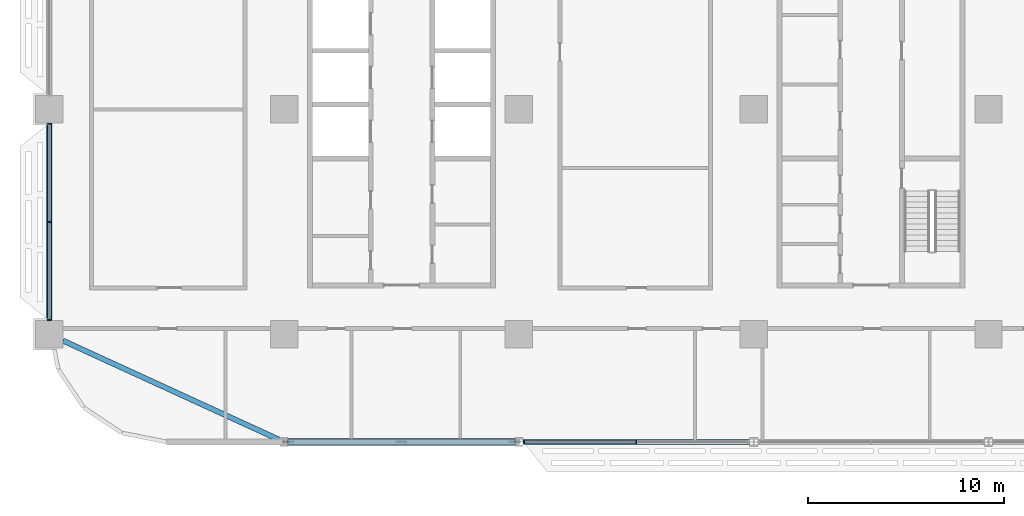
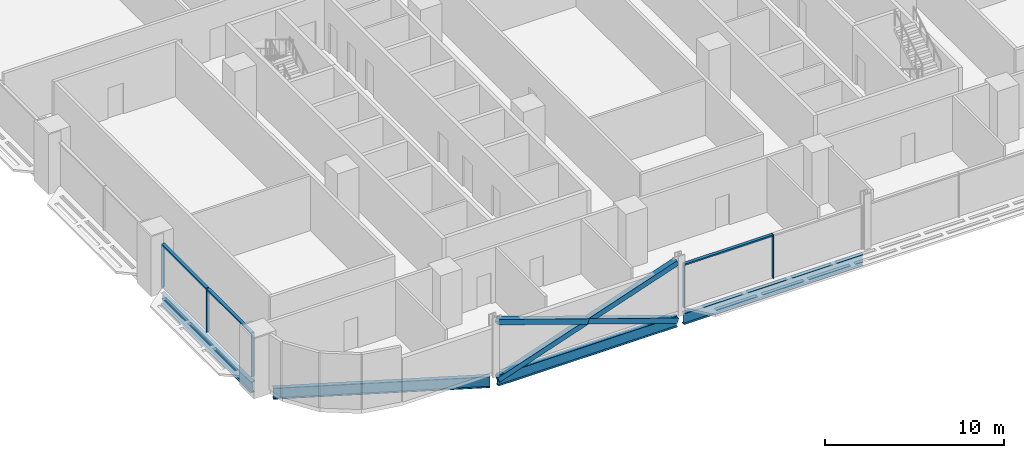
# One storey, part 3 of 29: 11 members, 4 beams, 2 elements without a shape of their own.
"""IFC4 building model written with IfcOpenShell, lengths in metres."""

from ifc_helpers import new_model, si_unit, direction, frame, origin, origin_2d, place, context, subcontext, project, spatial, rectangle, hollow_rectangle, i_section, extrude, material, material_profile, profile_set, type_object, element, aggregate, save


model = new_model("IFC4")

# Units and contexts
model_context = context("Model", 3, precision=1e-05, world=origin(), true_north=direction((0.0, 1.0)))
body_context = subcontext(model_context, "Body", "Model", "MODEL_VIEW")
ifc_project = project(units=[si_unit("LENGTHUNIT", "METRE"), si_unit("AREAUNIT", "SQUARE_METRE"), si_unit("VOLUMEUNIT", "CUBIC_METRE"), si_unit("PLANEANGLEUNIT", "RADIAN"), si_unit("MASSUNIT", "GRAM", prefix="KILO")], contexts=[model_context])

# Site, building, storey
site_placement = place(None, origin())
site = spatial("IfcSite", under=ifc_project, at=site_placement, CompositionType="ELEMENT")
building_placement = place(site_placement, origin())
building = spatial("IfcBuilding", under=site, at=building_placement, Name="Mahtab Terrace Research Tower", CompositionType="ELEMENT")
storey_placement = place(building_placement, frame((0.0, 0.0, 97.10009765625)))
storey = spatial("IfcBuildingStorey", under=building, at=storey_placement, Name="L22", CompositionType="ELEMENT", Elevation=97.10009765625)

# Members
ifc_material_1 = material(Name="Steel ASTM A500 Gr C", Category="steel")
ifc_material_profile_1 = material_profile(ifc_material_1, hollow_rectangle(XDim=0.355712890625, YDim=0.355712890625, WallThickness=0.01904296875, at=origin_2d()), Name="HSS14X14X3/4")
ifc_profile_set_1 = profile_set([ifc_material_profile_1], Name="Steel ASTM A500 Gr C")
member_type_1 = type_object("IfcMemberType", Name="HSS 14x14x3/4 brace XB141434", PredefinedType="BRACE", material=ifc_profile_set_1)
member_1_placement = place(storey_placement, frame((-29.79052734375, -17.0, -0.64697265625), z_axis=(0.946292853795, 0.0, 0.323310740397), x_axis=(0.0, 1.0, 0.0)))
element("IfcMember", 1, at=member_1_placement, inside=storey, type_object=member_type_1, Name="Exoskeleton brace L22 13 a", PredefinedType="BRACE", context=body_context, shape_type="SweptSolid", body=[
    extrude(hollow_rectangle(XDim=0.355712890625, YDim=0.355712890625, WallThickness=0.01904296875, at=origin_2d()), origin(), (0.0, 0.0, 1.0), 12.23828125),
])
for number, where, z_axis, x_axis, name in (
    (2, (-18.20947265625, -17.0, -0.64697265625), (-0.946286750388, 0.0, 0.323328603809), (0.0, -1.0, 0.0), "Exoskeleton brace L22 13 b1"),
    (3, (-24.0, -17.0, 1.33154296875), (-0.946298956945, 0.0, 0.323292876639), (0.0, -1.0, 0.0), "Exoskeleton brace L22 13 b2"),
):
    element("IfcMember", number, at=place(storey_placement, frame(where, z_axis=z_axis, x_axis=x_axis)), inside=storey, type_object=member_type_1, Name=name, PredefinedType="BRACE", context=body_context, shape_type="SweptSolid", body=[
        extrude(hollow_rectangle(XDim=0.355712890625, YDim=0.355712890625, WallThickness=0.01904296875, at=origin_2d()), origin(), (0.0, 0.0, 1.0), 6.119140625),
    ])

# Curtain wall, members
ifc_material_2 = material(Name="Laboratory ribbon curtain wall")
curtain_wall_type = type_object("IfcCurtainWallType", Name="Laboratory ribbon curtain wall", PredefinedType="NOTDEFINED", material=ifc_material_2)
curtain_wall_1_placement = place(storey_placement, origin())
curtain_wall_1 = element("IfcCurtainWall", 4, at=curtain_wall_1_placement, inside=storey, type_object=curtain_wall_type, Name="EN.L22.8.18", PredefinedType="NOTDEFINED")
ifc_material_3 = material(Name="Natural anodised aluminium", Category="aluminium")
ifc_material_profile_2 = material_profile(ifc_material_3, rectangle(XDim=0.199951171875, YDim=0.06494140625, at=origin_2d()), Name="MULLION 65x200")
ifc_profile_set_2 = profile_set([ifc_material_profile_2], Name="Natural anodised aluminium")
member_type_2 = type_object("IfcMemberType", Name="Laboratory ribbon curtain wall mullion", PredefinedType="MULLION", material=ifc_profile_set_2)
member_2_placement = place(storey_placement, frame((-42.0, -0.732421875, 0.0), z_axis=(0.0, 0.0, 1.0), x_axis=(1.0, 0.0, 0.0)))
member_2 = element("IfcMember", 5, at=member_2_placement, type_object=member_type_2, Name="CWL-3 mullion 1", PredefinedType="MULLION", context=body_context, shape_type="SweptSolid", body=[
    extrude(rectangle(XDim=0.199951171875, YDim=0.06494140625, at=origin_2d()), origin(), (0.0, 0.0, 1.0), 3.0029296875),
])
member_3_placement = place(storey_placement, frame((-42.0, -5.75, 0.0), z_axis=(0.0, 0.0, 1.0), x_axis=(1.0, 0.0, 0.0)))
member_3 = element("IfcMember", 6, at=member_3_placement, type_object=member_type_2, Name="CWL-3 mullion 2", PredefinedType="MULLION", context=body_context, shape_type="SweptSolid", body=[
    extrude(rectangle(XDim=0.199951171875, YDim=0.06494140625, at=origin_2d()), origin(), (0.0, 0.0, 1.0), 3.0029296875),
])
member_4_placement = place(storey_placement, frame((-42.0, -10.767578125, 0.0), z_axis=(0.0, 0.0, 1.0), x_axis=(1.0, 0.0, 0.0)))
member_4 = element("IfcMember", 7, at=member_4_placement, type_object=member_type_2, Name="CWL-3 mullion 3", PredefinedType="MULLION", context=body_context, shape_type="SweptSolid", body=[
    extrude(rectangle(XDim=0.199951171875, YDim=0.06494140625, at=origin_2d()), origin(), (0.0, 0.0, 1.0), 3.0029296875),
])

curtain_wall_2_placement = place(storey_placement, origin())
curtain_wall_2 = element("IfcCurtainWall", 8, at=curtain_wall_2_placement, inside=storey, type_object=curtain_wall_type, Name="EN.L22.13.25", PredefinedType="NOTDEFINED")
member_5_placement = place(storey_placement, frame((-17.739501953125, -17.0, 0.0), z_axis=(0.0, 0.0, 1.0), x_axis=(0.0, 1.0, 0.0)))
member_5 = element("IfcMember", 9, at=member_5_placement, type_object=member_type_2, Name="CWL-3 mullion 1", PredefinedType="MULLION", context=body_context, shape_type="SweptSolid", body=[
    extrude(rectangle(XDim=0.199951171875, YDim=0.06494140625, at=origin_2d()), origin(), (0.0, 0.0, 1.0), 3.0029296875),
])
member_6_placement = place(storey_placement, frame((-12.0, -17.0, 0.0), z_axis=(0.0, 0.0, 1.0), x_axis=(0.0, 1.0, 0.0)))
member_6 = element("IfcMember", 10, at=member_6_placement, type_object=member_type_2, Name="CWL-3 mullion 2", PredefinedType="MULLION", context=body_context, shape_type="SweptSolid", body=[
    extrude(rectangle(XDim=0.199951171875, YDim=0.06494140625, at=origin_2d()), origin(), (0.0, 0.0, 1.0), 3.0029296875),
])

# Member
ifc_material_profile_3 = material_profile(ifc_material_3, rectangle(XDim=0.199951171875, YDim=0.10009765625, at=origin_2d()), Name="TRANSOM 100x200")
ifc_profile_set_3 = profile_set([ifc_material_profile_3], Name="Natural anodised aluminium")
member_type_3 = type_object("IfcMemberType", Name="Laboratory ribbon curtain wall transom", PredefinedType="USERDEFINED", material=ifc_profile_set_3)
member_7_placement = place(storey_placement, frame((-42.0, -0.764892578125, 2.952880859375), z_axis=(0.0, -1.0, 0.0), x_axis=(1.0, 0.0, 0.0)))
member_7 = element("IfcMember", 11, at=member_7_placement, type_object=member_type_3, Name="CWL-3 transom 1", ObjectType="TRANSOM", PredefinedType="USERDEFINED", context=body_context, shape_type="SweptSolid", body=[
    extrude(rectangle(XDim=0.199951171875, YDim=0.10009765625, at=origin_2d()), origin(), (0.0, 0.0, 1.0), 4.95263671875),
])

member_8_placement = place(storey_placement, frame((-42.0, -5.782470703125, 2.952880859375), z_axis=(0.0, -1.0, 0.0), x_axis=(1.0, 0.0, 0.0)))
member_8 = element("IfcMember", 12, at=member_8_placement, type_object=member_type_3, Name="CWL-3 transom 2", ObjectType="TRANSOM", PredefinedType="USERDEFINED", context=body_context, shape_type="SweptSolid", body=[
    extrude(rectangle(XDim=0.199951171875, YDim=0.10009765625, at=origin_2d()), origin(), (0.0, 0.0, 1.0), 4.95263671875),
])

aggregate(curtain_wall_1, [member_2, member_3, member_4, member_7, member_8])

member_9_placement = place(storey_placement, frame((-17.70703125, -17.0, 2.952880859375), z_axis=(1.0, 0.0, 0.0), x_axis=(0.0, 1.0, 0.0)))
member_9 = element("IfcMember", 13, at=member_9_placement, type_object=member_type_3, Name="CWL-3 transom 1", ObjectType="TRANSOM", PredefinedType="USERDEFINED", context=body_context, shape_type="SweptSolid", body=[
    extrude(rectangle(XDim=0.199951171875, YDim=0.10009765625, at=origin_2d()), origin(), (0.0, 0.0, 1.0), 5.674560546875),
])

aggregate(curtain_wall_2, [member_5, member_6, member_9])

# Beams
ifc_material_4 = material(Name="Steel ASTM A992 Gr 50", Category="steel")
ifc_material_profile_4 = material_profile(ifc_material_4, i_section(OverallWidth=0.2666015625, OverallDepth=0.7568359375, WebThickness=0.013916015625, FlangeThickness=0.019287109375, at=origin_2d()), Name="W30X108")
ifc_profile_set_4 = profile_set([ifc_material_profile_4], Name="Steel ASTM A992 Gr 50")
beam_type = type_object("IfcBeamType", Name="W30x108 beam BS30108", PredefinedType="BEAM", material=ifc_profile_set_4)
beam_1_placement = place(storey_placement, frame((-42.0, -0.699951171875, -0.718505859375), z_axis=(0.0, -1.0, 0.0), x_axis=(1.0, 0.0, 0.0)))
element("IfcBeam", 14, at=beam_1_placement, inside=storey, type_object=beam_type, Name="Spandrel beam L22 11", PredefinedType="BEAM", context=body_context, shape_type="SweptSolid", body=[
    extrude(i_section(OverallWidth=0.2666015625, OverallDepth=0.7568359375, WebThickness=0.013916015625, FlangeThickness=0.019287109375, at=origin_2d()), origin(), (0.0, 0.0, 1.0), 10.10009765625),
])
beam_2_placement = place(storey_placement, frame((-41.300048828125, -11.82080078125, -0.718505859375), z_axis=(0.909062612141, -0.41665953392, 0.0), x_axis=(0.41665953392, 0.909062612141, 0.0)))
element("IfcBeam", 15, at=beam_2_placement, inside=storey, type_object=beam_type, Name="Spandrel beam L22 12", PredefinedType="BEAM", context=body_context, shape_type="SweptSolid", body=[
    extrude(i_section(OverallWidth=0.2666015625, OverallDepth=0.7568359375, WebThickness=0.013916015625, FlangeThickness=0.019287109375, at=origin_2d()), origin(), (0.0, 0.0, 1.0), 12.199951171875),
])
for number, where, z_axis, x_axis, name in (
    (16, (-29.79052734375, -17.0, -0.718505859375), (1.0, 0.0, 0.0), (0.0, 1.0, 0.0), "Spandrel beam L22 13"),
    (17, (-17.79052734375, -17.0, -0.718505859375), (1.0, 0.0, 0.0), (0.0, 1.0, 0.0), "Spandrel beam L22 14"),
):
    element("IfcBeam", number, at=place(storey_placement, frame(where, z_axis=z_axis, x_axis=x_axis)), inside=storey, type_object=beam_type, Name=name, PredefinedType="BEAM", context=body_context, shape_type="SweptSolid", body=[
        extrude(i_section(OverallWidth=0.2666015625, OverallDepth=0.7568359375, WebThickness=0.013916015625, FlangeThickness=0.019287109375, at=origin_2d()), origin(), (0.0, 0.0, 1.0), 11.5810546875),
    ])

save(model, "model.ifc")
